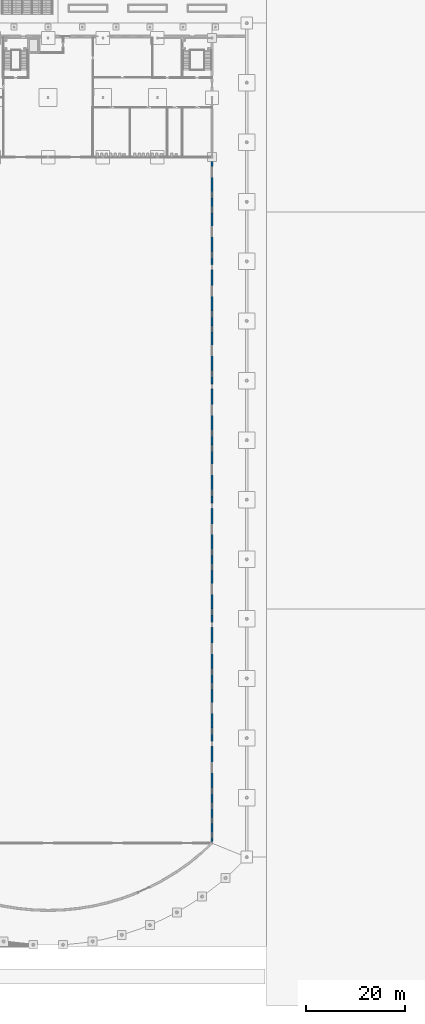
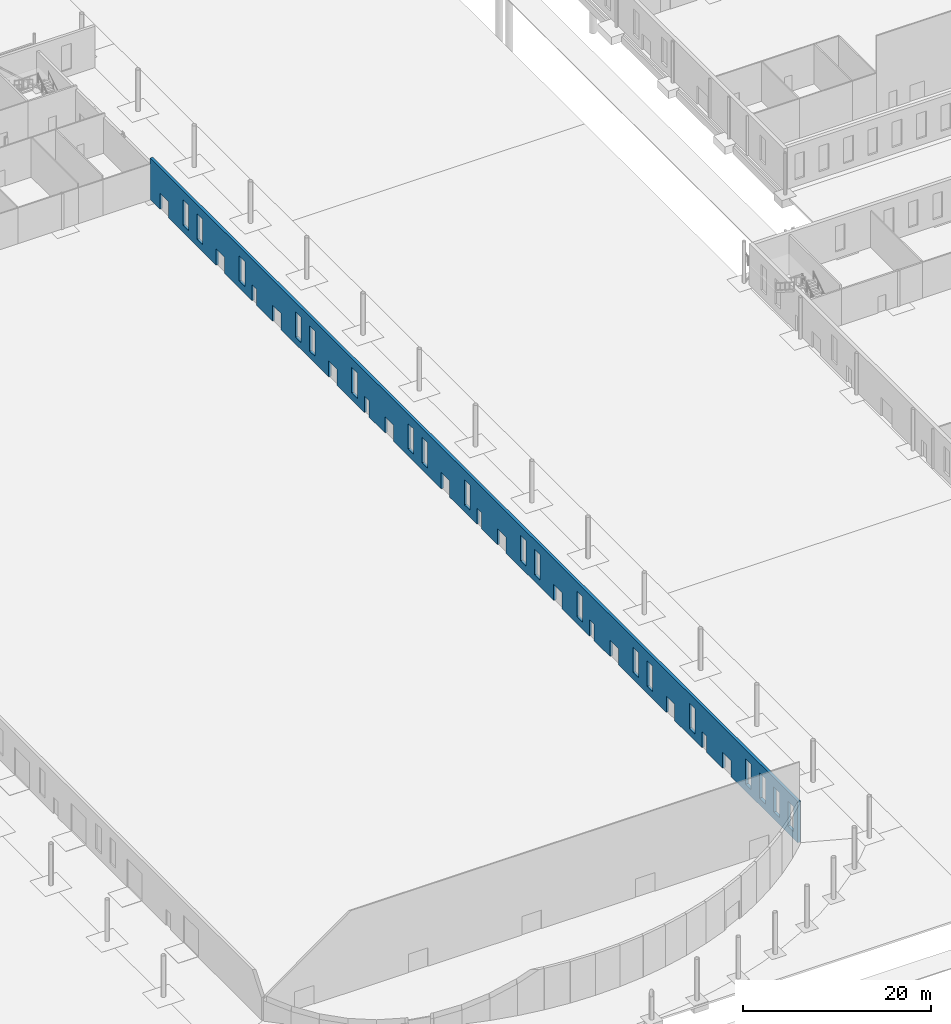
# One storey, part 62 of 132: 1 wall, 35 openings.
"""IFC4 building model written with IfcOpenShell, lengths in metres."""

from ifc_helpers import new_model, si_unit, direction, frame, frame_2d, origin, place, context, subcontext, project, spatial, rectangle, extrude, material, layer, layer_set, type_object, element, save


model = new_model("IFC4")

# Units and contexts
model_context = context("Model", 3, precision=1e-05, world=origin(), true_north=direction((0.0, 1.0)))
body_context = subcontext(model_context, "Body", "Model", "MODEL_VIEW")
ifc_project = project(units=[si_unit("LENGTHUNIT", "METRE"), si_unit("AREAUNIT", "SQUARE_METRE"), si_unit("VOLUMEUNIT", "CUBIC_METRE"), si_unit("PLANEANGLEUNIT", "RADIAN"), si_unit("MASSUNIT", "GRAM", prefix="KILO")], contexts=[model_context])

# Site, building, storey
site_placement = place(None, origin())
site = spatial("IfcSite", under=ifc_project, at=site_placement, CompositionType="ELEMENT")
building_placement = place(site_placement, origin())
building = spatial("IfcBuilding", under=site, at=building_placement, Name="Ravi Spectrum Wholesale Market", CompositionType="ELEMENT")
storey_placement = place(building_placement, origin())
storey = spatial("IfcBuildingStorey", under=building, at=storey_placement, Name="L00", CompositionType="ELEMENT", Elevation=0.0)

# Wall, openings
ifc_material = material(Name="Clinker brickwork", Category="masonry")
ifc_layer = layer(ifc_material, 0.340087890625)
ifc_layer_set = layer_set([ifc_layer], Name="Clinker brickwork")
wall_type = type_object("IfcWallType", Name="Brick 340 clinker", PredefinedType="SOLIDWALL", material=ifc_layer_set)
wall_placement = place(storey_placement, frame((103.0, 32.884765625, 0.0), z_axis=(0.0, 0.0, 1.0), x_axis=(0.0, 1.0, 0.0)))
wall = element("IfcWall", 1, at=wall_placement, inside=storey, type_object=wall_type, Name="Hall wall", PredefinedType="SOLIDWALL", context=body_context, shape_type="SweptSolid", body=[
    extrude(rectangle(XDim=138.115234375, YDim=0.340087890625, at=frame_2d((69.0576171875, 0.0))), origin(), (0.0, 0.0, 1.0), 5.39990234375),
])
opening_1_placement = place(wall_placement, frame((16.015380859375, 0.0, 0.0), z_axis=(0.0, 0.0, 1.0), x_axis=(-1.0, 0.0, 0.0)))
element("IfcOpeningElement", 2, at=opening_1_placement, cuts=wall, Name="Opening D104", PredefinedType="OPENING", context=body_context, shape_type="SweptSolid", body=[
    extrude(rectangle(XDim=1.800048828125, YDim=2.10009765625, at=frame_2d((0.89990234375, 1.050048828125))), frame((0.0, 0.179931640625, 0.0), z_axis=(0.0, -1.0, 0.0), x_axis=(1.0, 0.0, 0.0)), (0.0, 0.0, 1.0), 0.360107421875),
])
opening_2_placement = place(wall_placement, frame((20.415283203125, 0.0, 0.0), z_axis=(0.0, 0.0, 1.0), x_axis=(-1.0, 0.0, 0.0)))
element("IfcOpeningElement", 3, at=opening_2_placement, cuts=wall, Name="Opening D106", PredefinedType="OPENING", context=body_context, shape_type="SweptSolid", body=[
    extrude(rectangle(XDim=1.0, YDim=2.10009765625, at=frame_2d((0.5, 1.050048828125))), frame((0.0, 0.179931640625, 0.0), z_axis=(0.0, -1.0, 0.0), x_axis=(1.0, 0.0, 0.0)), (0.0, 0.0, 1.0), 0.360107421875),
])
opening_3_placement = place(wall_placement, frame((28.015380859375, 0.0, 0.0), z_axis=(0.0, 0.0, 1.0), x_axis=(-1.0, 0.0, 0.0)))
element("IfcOpeningElement", 4, at=opening_3_placement, cuts=wall, Name="Opening D108", PredefinedType="OPENING", context=body_context, shape_type="SweptSolid", body=[
    extrude(rectangle(XDim=1.800048828125, YDim=2.10009765625, at=frame_2d((0.89990234375, 1.050048828125))), frame((0.0, 0.179931640625, 0.0), z_axis=(0.0, -1.0, 0.0), x_axis=(1.0, 0.0, 0.0)), (0.0, 0.0, 1.0), 0.360107421875),
])
opening_4_placement = place(wall_placement, frame((40.015380859375, 0.0, 0.0), z_axis=(0.0, 0.0, 1.0), x_axis=(-1.0, 0.0, 0.0)))
element("IfcOpeningElement", 5, at=opening_4_placement, cuts=wall, Name="Opening D110", PredefinedType="OPENING", context=body_context, shape_type="SweptSolid", body=[
    extrude(rectangle(XDim=1.800048828125, YDim=2.10009765625, at=frame_2d((0.89990234375, 1.050048828125))), frame((0.0, 0.179931640625, 0.0), z_axis=(0.0, -1.0, 0.0), x_axis=(1.0, 0.0, 0.0)), (0.0, 0.0, 1.0), 0.360107421875),
])
opening_5_placement = place(wall_placement, frame((44.415283203125, 0.0, 0.0), z_axis=(0.0, 0.0, 1.0), x_axis=(-1.0, 0.0, 0.0)))
element("IfcOpeningElement", 6, at=opening_5_placement, cuts=wall, Name="Opening D112", PredefinedType="OPENING", context=body_context, shape_type="SweptSolid", body=[
    extrude(rectangle(XDim=1.0, YDim=2.10009765625, at=frame_2d((0.5, 1.050048828125))), frame((0.0, 0.179931640625, 0.0), z_axis=(0.0, -1.0, 0.0), x_axis=(1.0, 0.0, 0.0)), (0.0, 0.0, 1.0), 0.360107421875),
])
opening_6_placement = place(wall_placement, frame((52.015380859375, 0.0, 0.0), z_axis=(0.0, 0.0, 1.0), x_axis=(-1.0, 0.0, 0.0)))
element("IfcOpeningElement", 7, at=opening_6_placement, cuts=wall, Name="Opening D114", PredefinedType="OPENING", context=body_context, shape_type="SweptSolid", body=[
    extrude(rectangle(XDim=1.800048828125, YDim=2.10009765625, at=frame_2d((0.89990234375, 1.050048828125))), frame((0.0, 0.179931640625, 0.0), z_axis=(0.0, -1.0, 0.0), x_axis=(1.0, 0.0, 0.0)), (0.0, 0.0, 1.0), 0.360107421875),
])
opening_7_placement = place(wall_placement, frame((64.015380859375, 0.0, 0.0), z_axis=(0.0, 0.0, 1.0), x_axis=(-1.0, 0.0, 0.0)))
element("IfcOpeningElement", 8, at=opening_7_placement, cuts=wall, Name="Opening D116", PredefinedType="OPENING", context=body_context, shape_type="SweptSolid", body=[
    extrude(rectangle(XDim=1.800048828125, YDim=2.10009765625, at=frame_2d((0.89990234375, 1.050048828125))), frame((0.0, 0.179931640625, 0.0), z_axis=(0.0, -1.0, 0.0), x_axis=(1.0, 0.0, 0.0)), (0.0, 0.0, 1.0), 0.360107421875),
])
opening_8_placement = place(wall_placement, frame((68.415283203125, 0.0, 0.0), z_axis=(0.0, 0.0, 1.0), x_axis=(-1.0, 0.0, 0.0)))
element("IfcOpeningElement", 9, at=opening_8_placement, cuts=wall, Name="Opening D118", PredefinedType="OPENING", context=body_context, shape_type="SweptSolid", body=[
    extrude(rectangle(XDim=1.0, YDim=2.10009765625, at=frame_2d((0.5, 1.050048828125))), frame((0.0, 0.179931640625, 0.0), z_axis=(0.0, -1.0, 0.0), x_axis=(1.0, 0.0, 0.0)), (0.0, 0.0, 1.0), 0.360107421875),
])
opening_9_placement = place(wall_placement, frame((76.015380859375, 0.0, 0.0), z_axis=(0.0, 0.0, 1.0), x_axis=(-1.0, 0.0, 0.0)))
element("IfcOpeningElement", 10, at=opening_9_placement, cuts=wall, Name="Opening D120", PredefinedType="OPENING", context=body_context, shape_type="SweptSolid", body=[
    extrude(rectangle(XDim=1.800048828125, YDim=2.10009765625, at=frame_2d((0.89990234375, 1.050048828125))), frame((0.0, 0.179931640625, 0.0), z_axis=(0.0, -1.0, 0.0), x_axis=(1.0, 0.0, 0.0)), (0.0, 0.0, 1.0), 0.360107421875),
])
opening_10_placement = place(wall_placement, frame((88.015380859375, 0.0, 0.0), z_axis=(0.0, 0.0, 1.0), x_axis=(-1.0, 0.0, 0.0)))
element("IfcOpeningElement", 11, at=opening_10_placement, cuts=wall, Name="Opening D122", PredefinedType="OPENING", context=body_context, shape_type="SweptSolid", body=[
    extrude(rectangle(XDim=1.800048828125, YDim=2.10009765625, at=frame_2d((0.89990234375, 1.050048828125))), frame((0.0, 0.179931640625, 0.0), z_axis=(0.0, -1.0, 0.0), x_axis=(1.0, 0.0, 0.0)), (0.0, 0.0, 1.0), 0.360107421875),
])
opening_11_placement = place(wall_placement, frame((92.415283203125, 0.0, 0.0), z_axis=(0.0, 0.0, 1.0), x_axis=(-1.0, 0.0, 0.0)))
element("IfcOpeningElement", 12, at=opening_11_placement, cuts=wall, Name="Opening D124", PredefinedType="OPENING", context=body_context, shape_type="SweptSolid", body=[
    extrude(rectangle(XDim=1.0, YDim=2.10009765625, at=frame_2d((0.5, 1.050048828125))), frame((0.0, 0.179931640625, 0.0), z_axis=(0.0, -1.0, 0.0), x_axis=(1.0, 0.0, 0.0)), (0.0, 0.0, 1.0), 0.360107421875),
])
opening_12_placement = place(wall_placement, frame((100.015380859375, 0.0, 0.0), z_axis=(0.0, 0.0, 1.0), x_axis=(-1.0, 0.0, 0.0)))
element("IfcOpeningElement", 13, at=opening_12_placement, cuts=wall, Name="Opening D126", PredefinedType="OPENING", context=body_context, shape_type="SweptSolid", body=[
    extrude(rectangle(XDim=1.800048828125, YDim=2.10009765625, at=frame_2d((0.89990234375, 1.050048828125))), frame((0.0, 0.179931640625, 0.0), z_axis=(0.0, -1.0, 0.0), x_axis=(1.0, 0.0, 0.0)), (0.0, 0.0, 1.0), 0.360107421875),
])
opening_13_placement = place(wall_placement, frame((112.015380859375, 0.0, 0.0), z_axis=(0.0, 0.0, 1.0), x_axis=(-1.0, 0.0, 0.0)))
element("IfcOpeningElement", 14, at=opening_13_placement, cuts=wall, Name="Opening D128", PredefinedType="OPENING", context=body_context, shape_type="SweptSolid", body=[
    extrude(rectangle(XDim=1.800048828125, YDim=2.10009765625, at=frame_2d((0.89990234375, 1.050048828125))), frame((0.0, 0.179931640625, 0.0), z_axis=(0.0, -1.0, 0.0), x_axis=(1.0, 0.0, 0.0)), (0.0, 0.0, 1.0), 0.360107421875),
])
opening_14_placement = place(wall_placement, frame((116.415283203125, 0.0, 0.0), z_axis=(0.0, 0.0, 1.0), x_axis=(-1.0, 0.0, 0.0)))
element("IfcOpeningElement", 15, at=opening_14_placement, cuts=wall, Name="Opening D130", PredefinedType="OPENING", context=body_context, shape_type="SweptSolid", body=[
    extrude(rectangle(XDim=1.0, YDim=2.10009765625, at=frame_2d((0.5, 1.050048828125))), frame((0.0, 0.179931640625, 0.0), z_axis=(0.0, -1.0, 0.0), x_axis=(1.0, 0.0, 0.0)), (0.0, 0.0, 1.0), 0.360107421875),
])
opening_15_placement = place(wall_placement, frame((124.015380859375, 0.0, 0.0), z_axis=(0.0, 0.0, 1.0), x_axis=(-1.0, 0.0, 0.0)))
element("IfcOpeningElement", 16, at=opening_15_placement, cuts=wall, Name="Opening D132", PredefinedType="OPENING", context=body_context, shape_type="SweptSolid", body=[
    extrude(rectangle(XDim=1.800048828125, YDim=2.10009765625, at=frame_2d((0.89990234375, 1.050048828125))), frame((0.0, 0.179931640625, 0.0), z_axis=(0.0, -1.0, 0.0), x_axis=(1.0, 0.0, 0.0)), (0.0, 0.0, 1.0), 0.360107421875),
])
opening_16_placement = place(wall_placement, frame((136.015380859375, 0.0, 0.0), z_axis=(0.0, 0.0, 1.0), x_axis=(-1.0, 0.0, 0.0)))
element("IfcOpeningElement", 17, at=opening_16_placement, cuts=wall, Name="Opening D134", PredefinedType="OPENING", context=body_context, shape_type="SweptSolid", body=[
    extrude(rectangle(XDim=1.800048828125, YDim=2.10009765625, at=frame_2d((0.89990234375, 1.050048828125))), frame((0.0, 0.179931640625, 0.0), z_axis=(0.0, -1.0, 0.0), x_axis=(1.0, 0.0, 0.0)), (0.0, 0.0, 1.0), 0.360107421875),
])
opening_17_placement = place(wall_placement, frame((0.89990234375, 0.0, 0.89990234375)))
element("IfcOpeningElement", 18, at=opening_17_placement, cuts=wall, Name="Opening W1021", PredefinedType="OPENING", context=body_context, shape_type="SweptSolid", body=[
    extrude(rectangle(XDim=1.199951171875, YDim=3.300048828125, at=frame_2d((0.60009765625, 1.64990234375))), frame((0.0, 0.179931640625, 0.0), z_axis=(0.0, -1.0, 0.0), x_axis=(1.0, 0.0, 0.0)), (0.0, 0.0, 1.0), 0.360107421875),
])
opening_18_placement = place(wall_placement, frame((3.89990234375, 0.0, 0.89990234375)))
element("IfcOpeningElement", 19, at=opening_18_placement, cuts=wall, Name="Opening W1022", PredefinedType="OPENING", context=body_context, shape_type="SweptSolid", body=[
    extrude(rectangle(XDim=1.199951171875, YDim=3.300048828125, at=frame_2d((0.60009765625, 1.64990234375))), frame((0.0, 0.179931640625, 0.0), z_axis=(0.0, -1.0, 0.0), x_axis=(1.0, 0.0, 0.0)), (0.0, 0.0, 1.0), 0.360107421875),
])
opening_19_placement = place(wall_placement, frame((6.89990234375, 0.0, 0.89990234375)))
element("IfcOpeningElement", 20, at=opening_19_placement, cuts=wall, Name="Opening W1023", PredefinedType="OPENING", context=body_context, shape_type="SweptSolid", body=[
    extrude(rectangle(XDim=1.199951171875, YDim=3.300048828125, at=frame_2d((0.60009765625, 1.64990234375))), frame((0.0, 0.179931640625, 0.0), z_axis=(0.0, -1.0, 0.0), x_axis=(1.0, 0.0, 0.0)), (0.0, 0.0, 1.0), 0.360107421875),
])
opening_20_placement = place(wall_placement, frame((9.89990234375, 0.0, 0.89990234375)))
element("IfcOpeningElement", 21, at=opening_20_placement, cuts=wall, Name="Opening W1024", PredefinedType="OPENING", context=body_context, shape_type="SweptSolid", body=[
    extrude(rectangle(XDim=1.199951171875, YDim=3.300048828125, at=frame_2d((0.60009765625, 1.64990234375))), frame((0.0, 0.179931640625, 0.0), z_axis=(0.0, -1.0, 0.0), x_axis=(1.0, 0.0, 0.0)), (0.0, 0.0, 1.0), 0.360107421875),
])
opening_21_placement = place(wall_placement, frame((21.89990234375, 0.0, 0.89990234375)))
element("IfcOpeningElement", 22, at=opening_21_placement, cuts=wall, Name="Opening W1025", PredefinedType="OPENING", context=body_context, shape_type="SweptSolid", body=[
    extrude(rectangle(XDim=1.199951171875, YDim=3.300048828125, at=frame_2d((0.60009765625, 1.64990234375))), frame((0.0, 0.179931640625, 0.0), z_axis=(0.0, -1.0, 0.0), x_axis=(1.0, 0.0, 0.0)), (0.0, 0.0, 1.0), 0.360107421875),
])
opening_22_placement = place(wall_placement, frame((30.89990234375, 0.0, 0.89990234375)))
element("IfcOpeningElement", 23, at=opening_22_placement, cuts=wall, Name="Opening W1026", PredefinedType="OPENING", context=body_context, shape_type="SweptSolid", body=[
    extrude(rectangle(XDim=1.199951171875, YDim=3.300048828125, at=frame_2d((0.60009765625, 1.64990234375))), frame((0.0, 0.179931640625, 0.0), z_axis=(0.0, -1.0, 0.0), x_axis=(1.0, 0.0, 0.0)), (0.0, 0.0, 1.0), 0.360107421875),
])
opening_23_placement = place(wall_placement, frame((33.89990234375, 0.0, 0.89990234375)))
element("IfcOpeningElement", 24, at=opening_23_placement, cuts=wall, Name="Opening W1027", PredefinedType="OPENING", context=body_context, shape_type="SweptSolid", body=[
    extrude(rectangle(XDim=1.199951171875, YDim=3.300048828125, at=frame_2d((0.60009765625, 1.64990234375))), frame((0.0, 0.179931640625, 0.0), z_axis=(0.0, -1.0, 0.0), x_axis=(1.0, 0.0, 0.0)), (0.0, 0.0, 1.0), 0.360107421875),
])
opening_24_placement = place(wall_placement, frame((45.89990234375, 0.0, 0.89990234375)))
element("IfcOpeningElement", 25, at=opening_24_placement, cuts=wall, Name="Opening W1028", PredefinedType="OPENING", context=body_context, shape_type="SweptSolid", body=[
    extrude(rectangle(XDim=1.199951171875, YDim=3.300048828125, at=frame_2d((0.60009765625, 1.64990234375))), frame((0.0, 0.179931640625, 0.0), z_axis=(0.0, -1.0, 0.0), x_axis=(1.0, 0.0, 0.0)), (0.0, 0.0, 1.0), 0.360107421875),
])
opening_25_placement = place(wall_placement, frame((54.89990234375, 0.0, 0.89990234375)))
element("IfcOpeningElement", 26, at=opening_25_placement, cuts=wall, Name="Opening W1029", PredefinedType="OPENING", context=body_context, shape_type="SweptSolid", body=[
    extrude(rectangle(XDim=1.199951171875, YDim=3.300048828125, at=frame_2d((0.60009765625, 1.64990234375))), frame((0.0, 0.179931640625, 0.0), z_axis=(0.0, -1.0, 0.0), x_axis=(1.0, 0.0, 0.0)), (0.0, 0.0, 1.0), 0.360107421875),
])
opening_26_placement = place(wall_placement, frame((57.89990234375, 0.0, 0.89990234375)))
element("IfcOpeningElement", 27, at=opening_26_placement, cuts=wall, Name="Opening W1030", PredefinedType="OPENING", context=body_context, shape_type="SweptSolid", body=[
    extrude(rectangle(XDim=1.199951171875, YDim=3.300048828125, at=frame_2d((0.60009765625, 1.64990234375))), frame((0.0, 0.179931640625, 0.0), z_axis=(0.0, -1.0, 0.0), x_axis=(1.0, 0.0, 0.0)), (0.0, 0.0, 1.0), 0.360107421875),
])
opening_27_placement = place(wall_placement, frame((69.89990234375, 0.0, 0.89990234375)))
element("IfcOpeningElement", 28, at=opening_27_placement, cuts=wall, Name="Opening W1031", PredefinedType="OPENING", context=body_context, shape_type="SweptSolid", body=[
    extrude(rectangle(XDim=1.199951171875, YDim=3.300048828125, at=frame_2d((0.60009765625, 1.64990234375))), frame((0.0, 0.179931640625, 0.0), z_axis=(0.0, -1.0, 0.0), x_axis=(1.0, 0.0, 0.0)), (0.0, 0.0, 1.0), 0.360107421875),
])
opening_28_placement = place(wall_placement, frame((78.89990234375, 0.0, 0.89990234375)))
element("IfcOpeningElement", 29, at=opening_28_placement, cuts=wall, Name="Opening W1032", PredefinedType="OPENING", context=body_context, shape_type="SweptSolid", body=[
    extrude(rectangle(XDim=1.199951171875, YDim=3.300048828125, at=frame_2d((0.60009765625, 1.64990234375))), frame((0.0, 0.179931640625, 0.0), z_axis=(0.0, -1.0, 0.0), x_axis=(1.0, 0.0, 0.0)), (0.0, 0.0, 1.0), 0.360107421875),
])
opening_29_placement = place(wall_placement, frame((81.89990234375, 0.0, 0.89990234375)))
element("IfcOpeningElement", 30, at=opening_29_placement, cuts=wall, Name="Opening W1033", PredefinedType="OPENING", context=body_context, shape_type="SweptSolid", body=[
    extrude(rectangle(XDim=1.199951171875, YDim=3.300048828125, at=frame_2d((0.60009765625, 1.64990234375))), frame((0.0, 0.179931640625, 0.0), z_axis=(0.0, -1.0, 0.0), x_axis=(1.0, 0.0, 0.0)), (0.0, 0.0, 1.0), 0.360107421875),
])
opening_30_placement = place(wall_placement, frame((93.89990234375, 0.0, 0.89990234375)))
element("IfcOpeningElement", 31, at=opening_30_placement, cuts=wall, Name="Opening W1034", PredefinedType="OPENING", context=body_context, shape_type="SweptSolid", body=[
    extrude(rectangle(XDim=1.199951171875, YDim=3.300048828125, at=frame_2d((0.60009765625, 1.64990234375))), frame((0.0, 0.179931640625, 0.0), z_axis=(0.0, -1.0, 0.0), x_axis=(1.0, 0.0, 0.0)), (0.0, 0.0, 1.0), 0.360107421875),
])
opening_31_placement = place(wall_placement, frame((102.89990234375, 0.0, 0.89990234375)))
element("IfcOpeningElement", 32, at=opening_31_placement, cuts=wall, Name="Opening W1035", PredefinedType="OPENING", context=body_context, shape_type="SweptSolid", body=[
    extrude(rectangle(XDim=1.199951171875, YDim=3.300048828125, at=frame_2d((0.60009765625, 1.64990234375))), frame((0.0, 0.179931640625, 0.0), z_axis=(0.0, -1.0, 0.0), x_axis=(1.0, 0.0, 0.0)), (0.0, 0.0, 1.0), 0.360107421875),
])
opening_32_placement = place(wall_placement, frame((105.89990234375, 0.0, 0.89990234375)))
element("IfcOpeningElement", 33, at=opening_32_placement, cuts=wall, Name="Opening W1036", PredefinedType="OPENING", context=body_context, shape_type="SweptSolid", body=[
    extrude(rectangle(XDim=1.199951171875, YDim=3.300048828125, at=frame_2d((0.60009765625, 1.64990234375))), frame((0.0, 0.179931640625, 0.0), z_axis=(0.0, -1.0, 0.0), x_axis=(1.0, 0.0, 0.0)), (0.0, 0.0, 1.0), 0.360107421875),
])
opening_33_placement = place(wall_placement, frame((117.89990234375, 0.0, 0.89990234375)))
element("IfcOpeningElement", 34, at=opening_33_placement, cuts=wall, Name="Opening W1037", PredefinedType="OPENING", context=body_context, shape_type="SweptSolid", body=[
    extrude(rectangle(XDim=1.199951171875, YDim=3.300048828125, at=frame_2d((0.60009765625, 1.64990234375))), frame((0.0, 0.179931640625, 0.0), z_axis=(0.0, -1.0, 0.0), x_axis=(1.0, 0.0, 0.0)), (0.0, 0.0, 1.0), 0.360107421875),
])
opening_34_placement = place(wall_placement, frame((126.89990234375, 0.0, 0.89990234375)))
element("IfcOpeningElement", 35, at=opening_34_placement, cuts=wall, Name="Opening W1038", PredefinedType="OPENING", context=body_context, shape_type="SweptSolid", body=[
    extrude(rectangle(XDim=1.199951171875, YDim=3.300048828125, at=frame_2d((0.60009765625, 1.64990234375))), frame((0.0, 0.179931640625, 0.0), z_axis=(0.0, -1.0, 0.0), x_axis=(1.0, 0.0, 0.0)), (0.0, 0.0, 1.0), 0.360107421875),
])
opening_35_placement = place(wall_placement, frame((129.89990234375, 0.0, 0.89990234375)))
element("IfcOpeningElement", 36, at=opening_35_placement, cuts=wall, Name="Opening W1039", PredefinedType="OPENING", context=body_context, shape_type="SweptSolid", body=[
    extrude(rectangle(XDim=1.199951171875, YDim=3.300048828125, at=frame_2d((0.60009765625, 1.64990234375))), frame((0.0, 0.179931640625, 0.0), z_axis=(0.0, -1.0, 0.0), x_axis=(1.0, 0.0, 0.0)), (0.0, 0.0, 1.0), 0.360107421875),
])

save(model, "model.ifc")
